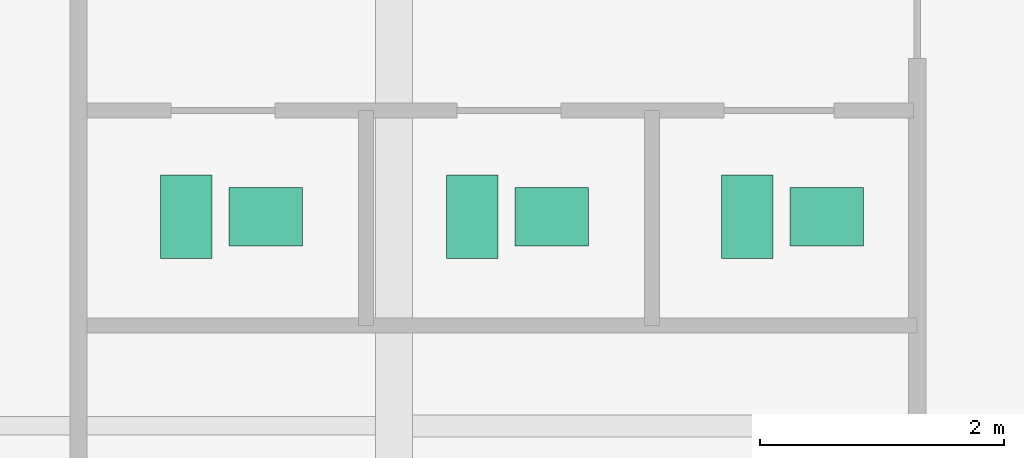
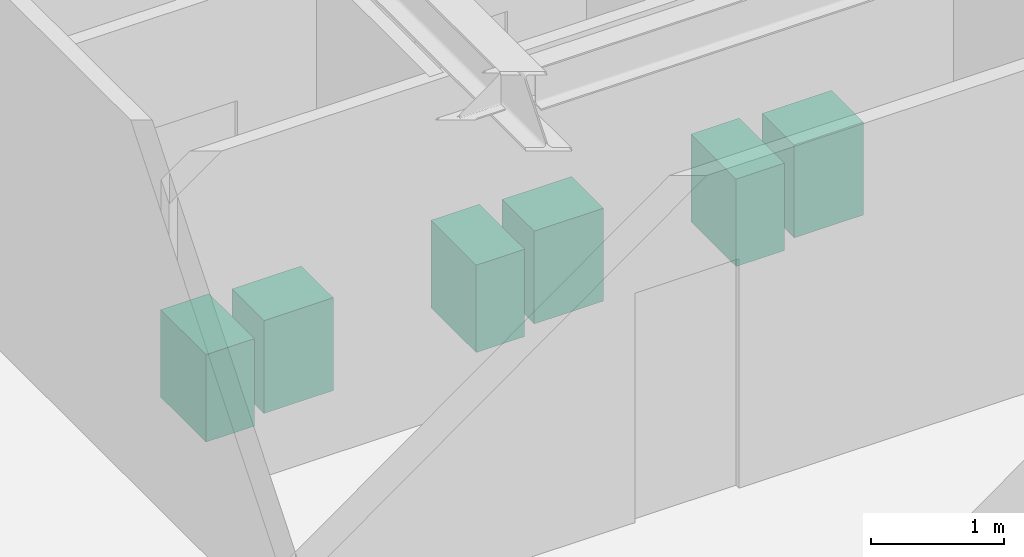
# One storey, part 24 of 24: 6 sanitary terminals.
"""IFC4 building model written with IfcOpenShell, lengths in metres."""

from ifc_helpers import new_model, si_unit, direction, frame, origin, origin_2d, place, context, subcontext, project, spatial, rectangle, extrude, source, transform, mapped, material, type_object, type_shapes, element, save


model = new_model("IFC4")

# Units and contexts
model_context = context("Model", 3, precision=1e-05, world=origin(), true_north=direction((0.0, 1.0)))
body_context = subcontext(model_context, "Body", "Model", "MODEL_VIEW")
ifc_project = project(units=[si_unit("LENGTHUNIT", "METRE"), si_unit("AREAUNIT", "SQUARE_METRE"), si_unit("VOLUMEUNIT", "CUBIC_METRE"), si_unit("PLANEANGLEUNIT", "RADIAN"), si_unit("MASSUNIT", "GRAM", prefix="KILO")], contexts=[model_context])

# Site, building, storey
site_placement = place(None, origin())
site = spatial("IfcSite", under=ifc_project, at=site_placement, CompositionType="ELEMENT")
building_placement = place(site_placement, origin())
building = spatial("IfcBuilding", under=site, at=building_placement, Name="Krantzveldt Concourse Tower", CompositionType="ELEMENT")
storey_placement = place(building_placement, frame((0.0, 0.0, 258.64990234375)))
storey = spatial("IfcBuildingStorey", under=building, at=storey_placement, Name="L63", CompositionType="ELEMENT", Elevation=258.64990234375)

# Sanitary terminals
ifc_material = material(Name="Vitreous china", Category="ceramic")
sanitary_terminal_type_1 = type_object("IfcSanitaryTerminalType", Name="SAN-WC-SUITE", PredefinedType="TOILETPAN", material=ifc_material)
shared_shape_1 = source(origin(), body_context, "Body", "SweptSolid", [
    extrude(rectangle(XDim=0.419921875, YDim=0.679931640625, at=origin_2d()), origin(), (0.0, 0.0, 1.0), 0.800048828125),
])
type_shapes(sanitary_terminal_type_1, [shared_shape_1])
for number, where, z_axis, x_axis, name in (
    (1, (28.89990234375, 31.909912109375, 0.0), (0.0, 0.0, 1.0), (1.0, 0.0, 0.0), "WC-SP-L63-WCM"),
    (2, (31.239990234375, 31.909912109375, 0.0), (0.0, 0.0, 1.0), (1.0, 0.0, 0.0), "WC-SP-L63-WCF"),
    (3, (33.489990234375, 31.909912109375, 0.0), (0.0, 0.0, 1.0), (1.0, 0.0, 0.0), "WC-SP-L63-WCA"),
):
    element("IfcSanitaryTerminal", number, at=place(storey_placement, frame(where, z_axis=z_axis, x_axis=x_axis)), inside=storey, type_object=sanitary_terminal_type_1, Name=name, PredefinedType="TOILETPAN", context=body_context, shape_type="MappedRepresentation", body=[
        mapped(shared_shape_1, transform((0.0, 0.0, 0.0), x_axis=(1.0, 0.0, 0.0), y_axis=(0.0, 1.0, 0.0), z_axis=(0.0, 0.0, 1.0), scale=1.0)),
    ])
sanitary_terminal_type_2 = type_object("IfcSanitaryTerminalType", Name="SAN-BASIN-600", PredefinedType="WASHHANDBASIN", material=ifc_material)
shared_shape_2 = source(origin(), body_context, "Body", "SweptSolid", [
    extrude(rectangle(XDim=0.60009765625, YDim=0.47998046875, at=origin_2d()), origin(), (0.0, 0.0, 1.0), 0.85009765625),
])
type_shapes(sanitary_terminal_type_2, [shared_shape_2])
for number, where, z_axis, x_axis, name in (
    (4, (29.550048828125, 31.909912109375, 0.005126953125), (0.0, 0.0, 1.0), (1.0, 0.0, 0.0), "BSN-SP-L63-WCM"),
    (5, (31.889892578125, 31.909912109375, 0.005126953125), (0.0, 0.0, 1.0), (1.0, 0.0, 0.0), "BSN-SP-L63-WCF"),
    (6, (34.139892578125, 31.909912109375, 0.005126953125), (0.0, 0.0, 1.0), (1.0, 0.0, 0.0), "BSN-SP-L63-WCA"),
):
    element("IfcSanitaryTerminal", number, at=place(storey_placement, frame(where, z_axis=z_axis, x_axis=x_axis)), inside=storey, type_object=sanitary_terminal_type_2, Name=name, PredefinedType="WASHHANDBASIN", context=body_context, shape_type="MappedRepresentation", body=[
        mapped(shared_shape_2, transform((0.0, 0.0, 0.0), x_axis=(1.0, 0.0, 0.0), y_axis=(0.0, 1.0, 0.0), z_axis=(0.0, 0.0, 1.0), scale=1.0)),
    ])

save(model, "model.ifc")
